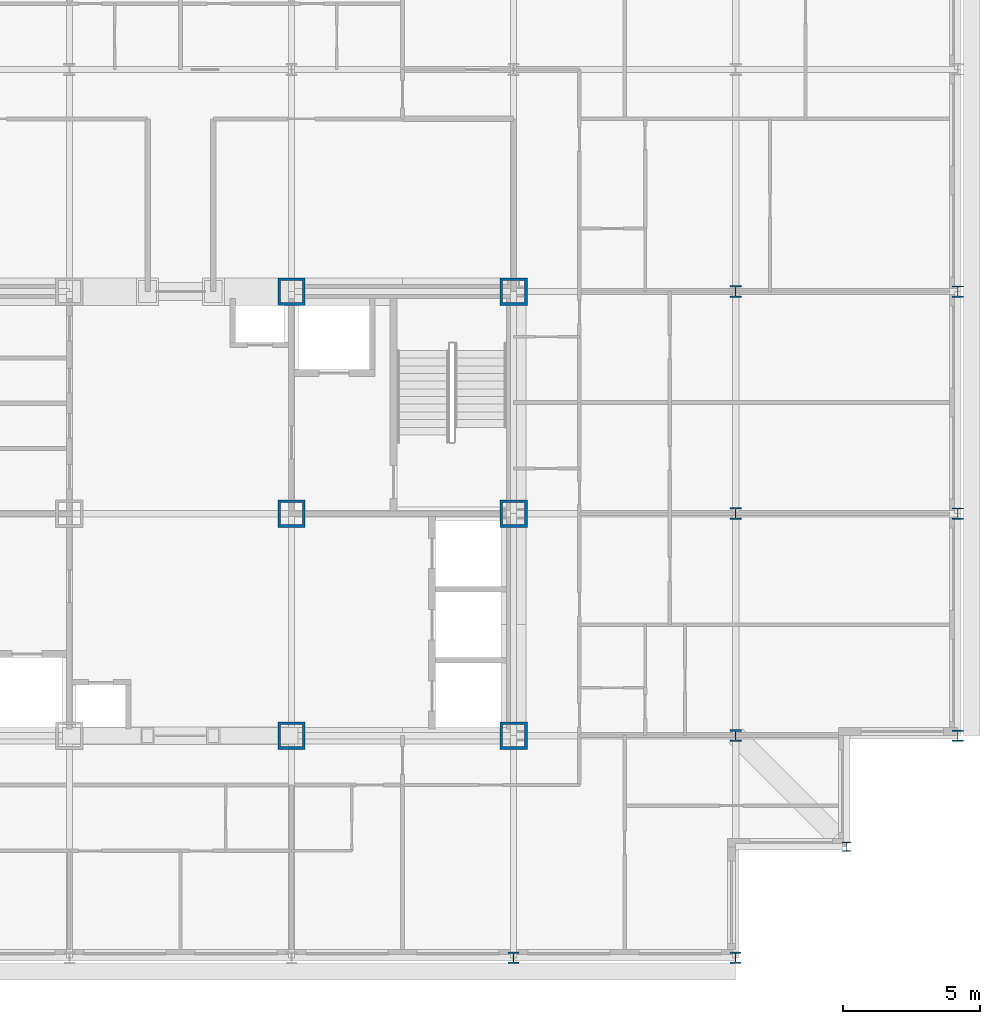
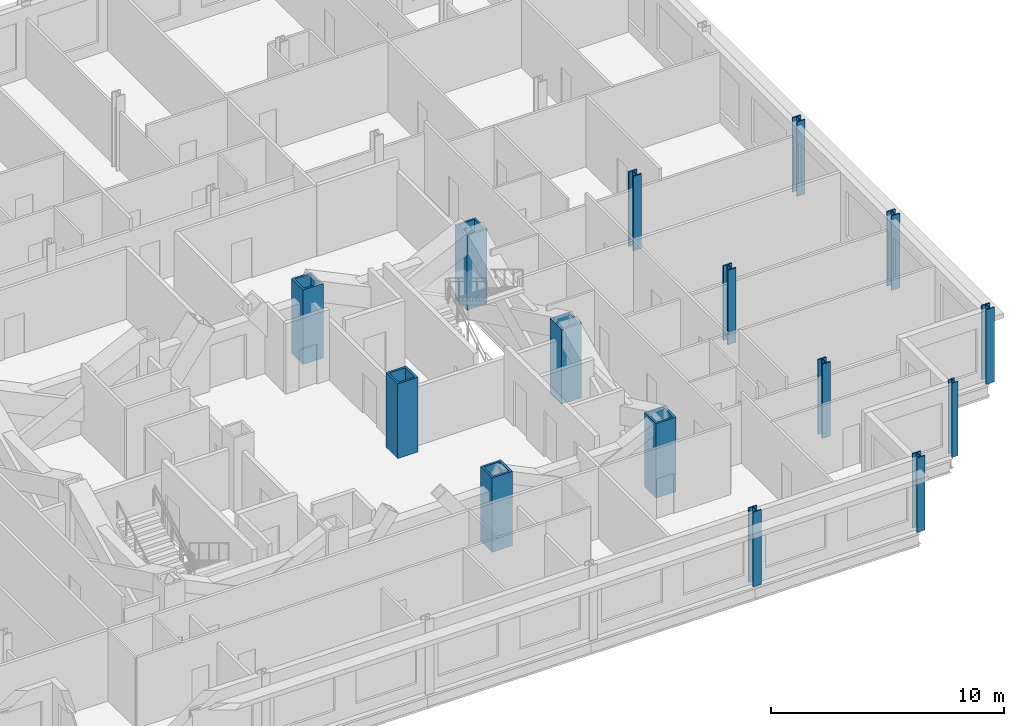
# One storey, part 2 of 15: 15 columns.
"""IFC4 building model written with IfcOpenShell, lengths in metres."""

from ifc_helpers import new_model, si_unit, direction, frame, origin, origin_2d, place, context, subcontext, project, spatial, hollow_rectangle, i_section, extrude, material, material_profile, profile_set, type_object, element, save


model = new_model("IFC4")

# Units and contexts
model_context = context("Model", 3, precision=1e-05, world=origin(), true_north=direction((0.0, 1.0)))
body_context = subcontext(model_context, "Body", "Model", "MODEL_VIEW")
ifc_project = project(units=[si_unit("LENGTHUNIT", "METRE"), si_unit("AREAUNIT", "SQUARE_METRE"), si_unit("VOLUMEUNIT", "CUBIC_METRE"), si_unit("PLANEANGLEUNIT", "RADIAN"), si_unit("MASSUNIT", "GRAM", prefix="KILO")], contexts=[model_context])

# Site, building, storey
site_placement = place(None, origin())
site = spatial("IfcSite", under=ifc_project, at=site_placement, CompositionType="ELEMENT")
building_placement = place(site_placement, origin())
building = spatial("IfcBuilding", under=site, at=building_placement, Name="Kopane Lantern Tower", CompositionType="ELEMENT")
storey_placement = place(building_placement, frame((0.0, 0.0, 281.39990234375)))
storey = spatial("IfcBuildingStorey", under=building, at=storey_placement, Name="L72", CompositionType="ELEMENT", Elevation=281.39990234375)

# Columns
ifc_material_1 = material(Name="Steel S355JR", Category="steel")
ifc_material_profile_1 = material_profile(ifc_material_1, hollow_rectangle(XDim=1.0, YDim=1.0, WallThickness=0.10009765625, at=origin_2d()), Name="BOX 1000x1000x100")
ifc_profile_set_1 = profile_set([ifc_material_profile_1], Name="Steel S355JR")
column_type_1 = type_object("IfcColumnType", Name="COLUMN BOX 1000x1000x100", PredefinedType="COLUMN", material=ifc_profile_set_1)
for number, where, z_axis, x_axis, name in (
    (1, (32.39990234375, 24.300048828125, 0.0), (0.0, 0.0, 1.0), (1.0, 0.0, 0.0), "Column 6/E L72"),
    (2, (32.39990234375, 32.39990234375, 0.0), (0.0, 0.0, 1.0), (1.0, 0.0, 0.0), "Column 6/F L72"),
    (3, (32.39990234375, 40.5, 0.0), (0.0, 0.0, 1.0), (1.0, 0.0, 0.0), "Column 6/G L72"),
    (4, (40.5, 24.300048828125, 0.0), (0.0, 0.0, 1.0), (1.0, 0.0, 0.0), "Column 7/E L72"),
    (5, (40.5, 32.39990234375, 0.0), (0.0, 0.0, 1.0), (1.0, 0.0, 0.0), "Column 7/F L72"),
    (6, (40.5, 40.5, 0.0), (0.0, 0.0, 1.0), (1.0, 0.0, 0.0), "Column 7/G L72"),
):
    element("IfcColumn", number, at=place(storey_placement, frame(where, z_axis=z_axis, x_axis=x_axis)), inside=storey, type_object=column_type_1, Name=name, PredefinedType="COLUMN", context=body_context, shape_type="SweptSolid", body=[
        extrude(hollow_rectangle(XDim=1.0, YDim=1.0, WallThickness=0.10009765625, at=origin_2d()), origin(), (0.0, 0.0, 1.0), 3.900146484375),
    ])
ifc_material_2 = material(Name="Steel S355JR", Category="steel")
ifc_material_profile_2 = material_profile(ifc_material_2, i_section(OverallWidth=0.307373046875, OverallDepth=0.314453125, WebThickness=0.011962890625, FlangeThickness=0.018798828125, FilletRadius=0.01513671875, at=origin_2d()), Name="UC 305x305x118")
ifc_profile_set_2 = profile_set([ifc_material_profile_2], Name="Steel S355JR")
column_type_2 = type_object("IfcColumnType", Name="COLUMN UC 305x305x118", PredefinedType="COLUMN", material=ifc_profile_set_2)
column_placement = place(storey_placement, frame((52.64990234375, 20.25, 0.0), z_axis=(0.0, 0.0, 1.0), x_axis=(1.0, 0.0, 0.0)))
element("IfcColumn", 7, at=column_placement, inside=storey, type_object=column_type_2, Name="Column 52.65/20.25 L72", PredefinedType="COLUMN", context=body_context, shape_type="SweptSolid", body=[
    extrude(i_section(OverallWidth=0.307373046875, OverallDepth=0.314453125, WebThickness=0.011962890625, FlangeThickness=0.018798828125, FilletRadius=0.01513671875, at=origin_2d()), origin(), (0.0, 0.0, 1.0), 3.900146484375),
])
ifc_material_3 = material(Name="Steel S355JR", Category="steel")
ifc_material_profile_3 = material_profile(ifc_material_3, i_section(OverallWidth=0.406982421875, OverallDepth=0.4189453125, WebThickness=0.030517578125, FlangeThickness=0.04931640625, FilletRadius=0.01513671875, at=origin_2d()), Name="UC 356x406x393")
ifc_profile_set_3 = profile_set([ifc_material_profile_3], Name="Steel S355JR")
column_type_3 = type_object("IfcColumnType", Name="COLUMN UC 356x406x393", PredefinedType="COLUMN", material=ifc_profile_set_3)
for number, where, z_axis, x_axis, name in (
    (8, (40.5, 16.199951171875, 0.0), (0.0, 0.0, 1.0), (1.0, 0.0, 0.0), "Column 7/D L72"),
    (9, (48.60009765625, 16.199951171875, 0.0), (0.0, 0.0, 1.0), (1.0, 0.0, 0.0), "Column 8/D L72"),
    (10, (56.699951171875, 24.300048828125, 0.0), (0.0, 0.0, 1.0), (1.0, 0.0, 0.0), "Column 9/E L72"),
    (11, (56.699951171875, 32.39990234375, 0.0), (0.0, 0.0, 1.0), (1.0, 0.0, 0.0), "Column 9/F L72"),
    (12, (56.699951171875, 40.5, 0.0), (0.0, 0.0, 1.0), (1.0, 0.0, 0.0), "Column 9/G L72"),
):
    element("IfcColumn", number, at=place(storey_placement, frame(where, z_axis=z_axis, x_axis=x_axis)), inside=storey, type_object=column_type_3, Name=name, PredefinedType="COLUMN", context=body_context, shape_type="SweptSolid", body=[
        extrude(i_section(OverallWidth=0.406982421875, OverallDepth=0.4189453125, WebThickness=0.030517578125, FlangeThickness=0.04931640625, FilletRadius=0.01513671875, at=origin_2d()), origin(), (0.0, 0.0, 1.0), 3.900146484375),
    ])
ifc_material_4 = material(Name="Steel S355JR", Category="steel")
ifc_material_profile_4 = material_profile(ifc_material_4, i_section(OverallWidth=0.412109375, OverallDepth=0.4365234375, WebThickness=0.035888671875, FlangeThickness=0.05810546875, FilletRadius=0.01513671875, at=origin_2d()), Name="UC 356x406x467")
ifc_profile_set_4 = profile_set([ifc_material_profile_4], Name="Steel S355JR")
column_type_4 = type_object("IfcColumnType", Name="COLUMN UC 356x406x467", PredefinedType="COLUMN", material=ifc_profile_set_4)
for number, where, z_axis, x_axis, name in (
    (13, (48.60009765625, 24.300048828125, 0.0), (0.0, 0.0, 1.0), (1.0, 0.0, 0.0), "Column 8/E L72"),
    (14, (48.60009765625, 32.39990234375, 0.0), (0.0, 0.0, 1.0), (1.0, 0.0, 0.0), "Column 8/F L72"),
    (15, (48.60009765625, 40.5, 0.0), (0.0, 0.0, 1.0), (1.0, 0.0, 0.0), "Column 8/G L72"),
):
    element("IfcColumn", number, at=place(storey_placement, frame(where, z_axis=z_axis, x_axis=x_axis)), inside=storey, type_object=column_type_4, Name=name, PredefinedType="COLUMN", context=body_context, shape_type="SweptSolid", body=[
        extrude(i_section(OverallWidth=0.412109375, OverallDepth=0.4365234375, WebThickness=0.035888671875, FlangeThickness=0.05810546875, FilletRadius=0.01513671875, at=origin_2d()), origin(), (0.0, 0.0, 1.0), 3.900146484375),
    ])

save(model, "model.ifc")
